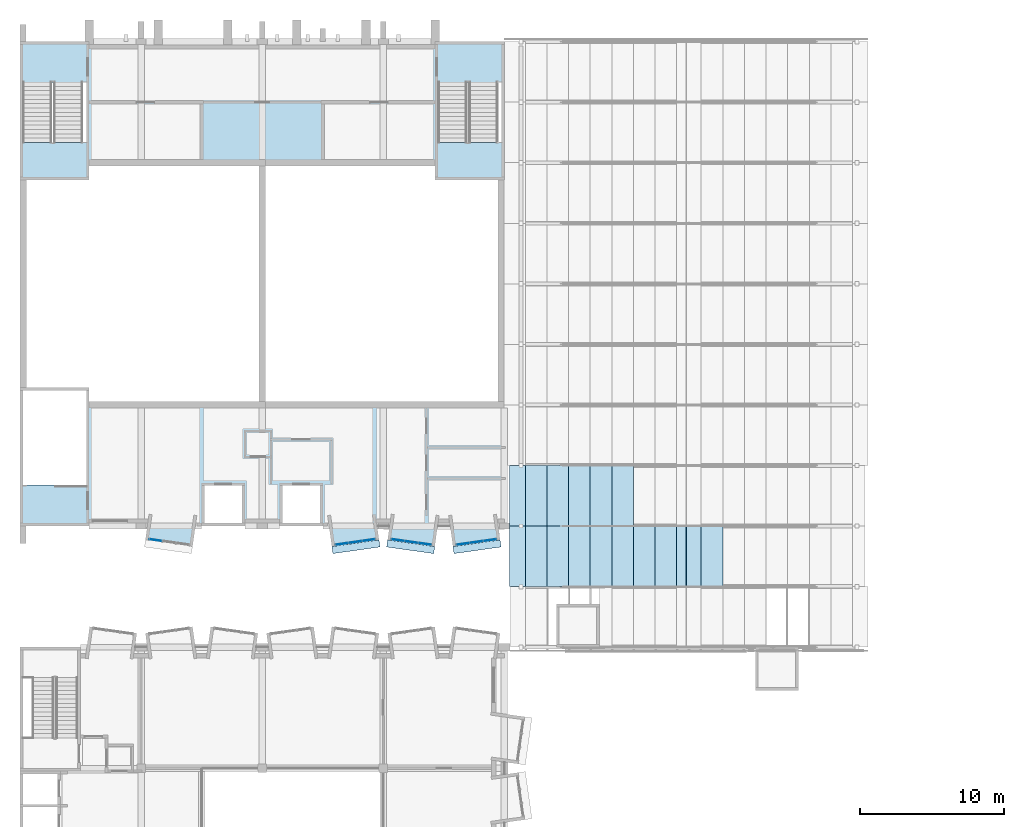
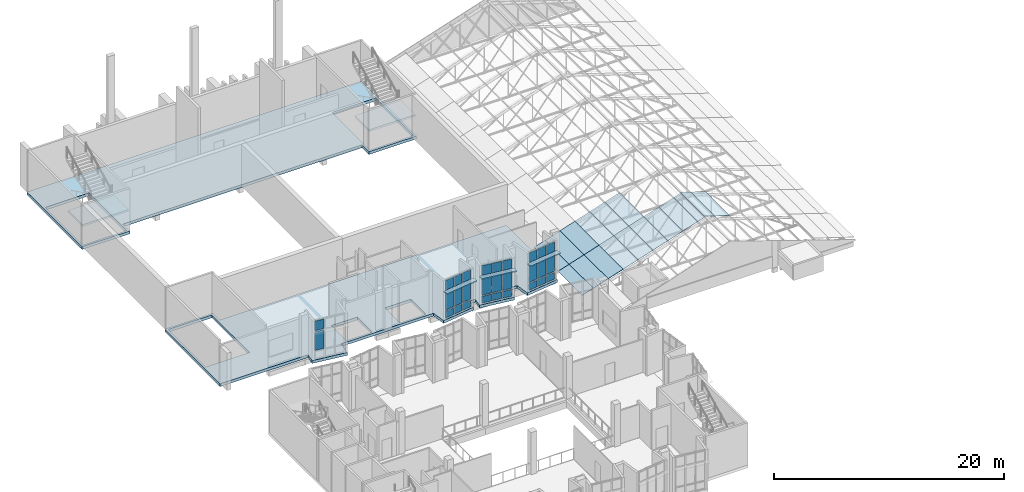
# One storey, part 71 of 95: 49 plates, 4 slabs, 6 elements without a shape of their own.
"""IFC4 building model written with IfcOpenShell, lengths in metres."""

from ifc_helpers import new_model, si_unit, direction, frame, origin, origin_2d, place, context, subcontext, project, spatial, polyline, rectangle, outline, extrude, material, layer, layer_set, type_object, element, aggregate, save


model = new_model("IFC4")

# Units and contexts
model_context = context("Model", 3, precision=1e-05, world=origin(), true_north=direction((0.0, 1.0)))
body_context = subcontext(model_context, "Body", "Model", "MODEL_VIEW")
ifc_project = project(units=[si_unit("LENGTHUNIT", "METRE"), si_unit("AREAUNIT", "SQUARE_METRE"), si_unit("VOLUMEUNIT", "CUBIC_METRE"), si_unit("PLANEANGLEUNIT", "RADIAN"), si_unit("MASSUNIT", "GRAM", prefix="KILO")], contexts=[model_context])

# Site, building, storey
site_placement = place(None, origin())
site = spatial("IfcSite", under=ifc_project, at=site_placement, CompositionType="ELEMENT")
building_placement = place(site_placement, origin())
building = spatial("IfcBuilding", under=site, at=building_placement, Name="Kiln Court Media Centre", CompositionType="ELEMENT")
storey_placement = place(building_placement, frame((0.0, 0.0, 24.60009765625)))
storey = spatial("IfcBuildingStorey", under=building, at=storey_placement, Name="L05", CompositionType="ELEMENT", Elevation=24.60009765625)

# Slabs
ifc_material_1 = material(Name="Concrete C30/37", Category="concrete")
ifc_layer_1 = layer(ifc_material_1, 0.300048828125)
ifc_layer_set_1 = layer_set([ifc_layer_1], Name="Concrete C30/37 floor slab 300")
slab_type_1 = type_object("IfcSlabType", Name="Concrete C30/37 floor slab 300", PredefinedType="FLOOR", material=ifc_layer_set_1)
slab_1_placement = place(storey_placement, frame((0.0, 0.0, -0.300048828125)))
element("IfcSlab", 1, at=slab_1_placement, inside=storey, type_object=slab_type_1, Name="L05-SL-1001", PredefinedType="FLOOR", context=body_context, shape_type="SweptSolid", body=[
    extrude(outline(polyline([(11.966796875, 32.181396484375), (8.698974609375, 32.640869140625), (8.833251953125, 33.599609375), (0.0, 33.60009765625), (0.0, 43.199951171875), (4.800048828125, 43.199951171875), (4.800048828125, 42.0), (33.60009765625, 42.0), (33.6005859375, 33.60009765625), (33.166748046875, 33.599609375), (33.30126953125, 32.64111328125), (30.033203125, 32.181396484375), (29.83349609375, 33.599609375), (28.966552734375, 33.599609375), (28.766845703125, 32.181396484375), (25.498779296875, 32.640869140625), (25.63330078125, 33.599609375), (24.766845703125, 33.599609375), (24.901123046875, 32.640869140625), (21.633056640625, 32.181396484375), (21.433349609375, 33.599609375), (12.16650390625, 33.599609375), (11.966796875, 32.181396484375)]), holes=[polyline([(12.800048828125, 33.800048828125), (15.39990234375, 33.800048828125), (15.39990234375, 36.39990234375), (12.800048828125, 36.39990234375), (12.800048828125, 33.800048828125)]), polyline([(18.199951171875, 33.800048828125), (20.800048828125, 33.800048828125), (20.800048828125, 36.39990234375), (18.199951171875, 36.39990234375), (18.199951171875, 33.800048828125)]), polyline([(0.199951171875, 36.43994140625), (4.60009765625, 36.43994140625), (4.60009765625, 43.0), (0.199951171875, 43.0), (0.199951171875, 36.43994140625)])]), origin(), (0.0, 0.0, 1.0), 0.300048828125),
])
slab_2_placement = place(storey_placement, frame((0.0, 0.0, -0.300048828125)))
element("IfcSlab", 2, at=slab_2_placement, inside=storey, type_object=slab_type_1, Name="L05-SL-1002", PredefinedType="FLOOR", context=body_context, shape_type="SweptSolid", body=[
    extrude(outline(polyline([(0.0, 57.60009765625), (0.0, 67.199951171875), (33.60009765625, 67.199951171875), (33.60009765625, 57.60009765625), (28.800048828125, 57.60009765625), (28.800048828125, 58.800048828125), (4.800048828125, 58.800048828125), (4.800048828125, 57.60009765625), (0.0, 57.60009765625)]), holes=[polyline([(0.199951171875, 57.800048828125), (4.60009765625, 57.800048828125), (4.60009765625, 64.360107421875), (0.199951171875, 64.360107421875), (0.199951171875, 57.800048828125)]), polyline([(29.0, 57.800048828125), (33.39990234375, 57.800048828125), (33.39990234375, 64.360107421875), (29.0, 64.360107421875), (29.0, 57.800048828125)])]), origin(), (0.0, 0.0, 1.0), 0.300048828125),
])

# Plates
ifc_material_2 = material(Name="Concrete C30/37", Category="concrete")
ifc_layer_2 = layer(ifc_material_2, 0.1201171875)
ifc_layer_set_2 = layer_set([ifc_layer_2], Name="Concrete C30/37 sunshade hood 120")
plate_type_1 = type_object("IfcPlateType", Name="Concrete C30/37 sunshade hood 120", PredefinedType="USERDEFINED", material=ifc_layer_set_2)
plate_1_placement = place(storey_placement, frame((0.0, 0.0, 3.0)))
element("IfcPlate", 3, at=plate_1_placement, inside=storey, type_object=plate_type_1, Name="SUNSHADE V4-S-L05-34", ObjectType="SUNSHADE", PredefinedType="USERDEFINED", context=body_context, shape_type="SweptSolid", body=[
    extrude(outline(polyline([(21.633056640625, 32.181884765625), (24.90087890625, 32.641357421875), (24.970458984375, 32.146240234375), (21.70263671875, 31.68701171875), (21.633056640625, 32.181884765625)])), origin(), (0.0, 0.0, 1.0), 0.119873046875),
])
plate_2_placement = place(storey_placement, frame((0.0, 0.0, 3.0)))
element("IfcPlate", 4, at=plate_2_placement, inside=storey, type_object=plate_type_1, Name="SUNSHADE V4-S-L05-35", ObjectType="SUNSHADE", PredefinedType="USERDEFINED", context=body_context, shape_type="SweptSolid", body=[
    extrude(outline(polyline([(25.4990234375, 32.641357421875), (28.766845703125, 32.181884765625), (28.697265625, 31.68701171875), (25.429443359375, 32.146240234375), (25.4990234375, 32.641357421875)])), origin(), (0.0, 0.0, 1.0), 0.119873046875),
])
plate_3_placement = place(storey_placement, frame((0.0, 0.0, 3.0)))
element("IfcPlate", 5, at=plate_3_placement, inside=storey, type_object=plate_type_1, Name="SUNSHADE V4-S-L05-36", ObjectType="SUNSHADE", PredefinedType="USERDEFINED", context=body_context, shape_type="SweptSolid", body=[
    extrude(outline(polyline([(30.033203125, 32.181884765625), (33.301025390625, 32.641357421875), (33.37060546875, 32.146240234375), (30.102783203125, 31.68701171875), (30.033203125, 32.181884765625)])), origin(), (0.0, 0.0, 1.0), 0.119873046875),
])

# Stair, slab
ifc_material_3 = material(Name="Concrete C40/50", Category="concrete")
stair_type = type_object("IfcStairType", Name="Concrete C40/50 dog-leg stair 2000 wide, 150 riser", PredefinedType="HALF_TURN_STAIR", material=ifc_material_3)
stair_1_placement = place(storey_placement, origin())
stair_1 = element("IfcStair", 6, at=stair_1_placement, inside=storey, type_object=stair_type, Name="ST-07 L05", PredefinedType="HALF_TURN_STAIR")
ifc_material_4 = material(Name="Concrete C40/50", Category="concrete")
ifc_layer_3 = layer(ifc_material_4, 0.199951171875)
ifc_layer_set_3 = layer_set([ifc_layer_3], Name="Concrete C40/50 stair landing 200")
slab_type_2 = type_object("IfcSlabType", Name="Concrete C40/50 stair landing 200", PredefinedType="LANDING", material=ifc_layer_set_3)
slab_3_placement = place(storey_placement, frame((0.0, 0.0, 2.0498046875)))
slab_3 = element("IfcSlab", 7, at=slab_3_placement, type_object=slab_type_2, Name="L05-ST-5003 landing 5003", PredefinedType="LANDING", context=body_context, shape_type="SweptSolid", body=[
    extrude(outline(polyline([(0.080078125, 60.199951171875), (0.080078125, 57.679931640625), (4.719970703125, 57.679931640625), (4.719970703125, 60.199951171875), (0.080078125, 60.199951171875)])), origin(), (0.0, 0.0, 1.0), 0.2001953125),
])
aggregate(stair_1, [slab_3])

stair_2_placement = place(storey_placement, origin())
stair_2 = element("IfcStair", 8, at=stair_2_placement, inside=storey, type_object=stair_type, Name="ST-08 L05", PredefinedType="HALF_TURN_STAIR")
slab_4_placement = place(storey_placement, frame((0.0, 0.0, 2.0498046875)))
slab_4 = element("IfcSlab", 9, at=slab_4_placement, type_object=slab_type_2, Name="L05-ST-5004 landing 5004", PredefinedType="LANDING", context=body_context, shape_type="SweptSolid", body=[
    extrude(outline(polyline([(28.8798828125, 60.199951171875), (28.8798828125, 57.679931640625), (33.52001953125, 57.679931640625), (33.52001953125, 60.199951171875), (28.8798828125, 60.199951171875)])), origin(), (0.0, 0.0, 1.0), 0.2001953125),
])
aggregate(stair_2, [slab_4])

# Curtain wall, plates
ifc_material_5 = material(Name="Aluminium 6063-T6", Category="aluminium")
ifc_layer_4 = layer(ifc_material_5, 0.1201171875)
ifc_layer_set_4 = layer_set([ifc_layer_4], Name="Aluminium unitised bay curtain wall")
curtain_wall_type = type_object("IfcCurtainWallType", Name="Aluminium unitised bay curtain wall", PredefinedType="USERDEFINED", material=ifc_layer_set_4)
curtain_wall_1_placement = place(storey_placement, origin())
curtain_wall_1 = element("IfcCurtainWall", 10, at=curtain_wall_1_placement, inside=storey, type_object=curtain_wall_type, Name="BAY V4-S-L05-34 front", ObjectType="UNITISED CURTAIN WALL", PredefinedType="USERDEFINED")
ifc_material_6 = material(Name="Aluminium insulated spandrel", Category="aluminium")
ifc_layer_5 = layer(ifc_material_6, 0.028076171875)
ifc_layer_set_5 = layer_set([ifc_layer_5], Name="Insulated spandrel panel 28")
plate_type_2 = type_object("IfcPlateType", Name="Insulated spandrel panel 28", PredefinedType="CURTAIN_PANEL", material=ifc_layer_set_5)
plate_4_placement = place(storey_placement, frame((22.3232421875, 32.35986328125, 0.1201171875), z_axis=(0.0, 0.0, 1.0), x_axis=(0.990269562409, 0.139162472554, 0.0)))
plate_4 = element("IfcPlate", 11, at=plate_4_placement, type_object=plate_type_2, Name="CW5-02 panel 1.1", PredefinedType="CURTAIN_PANEL", context=body_context, shape_type="SweptSolid", body=[
    extrude(rectangle(XDim=0.86669921875, YDim=0.028076171875, at=origin_2d()), origin(), (0.0, 0.0, 1.0), 0.719970703125),
])
plate_5_placement = place(storey_placement, frame((23.255859375, 32.490966796875, 0.1201171875), z_axis=(0.0, 0.0, 1.0), x_axis=(0.990269562409, 0.139162472554, 0.0)))
plate_5 = element("IfcPlate", 12, at=plate_5_placement, type_object=plate_type_2, Name="CW5-02 panel 2.1", PredefinedType="CURTAIN_PANEL", context=body_context, shape_type="SweptSolid", body=[
    extrude(rectangle(XDim=0.896728515625, YDim=0.028076171875, at=origin_2d()), origin(), (0.0, 0.0, 1.0), 0.719970703125),
])
plate_6_placement = place(storey_placement, frame((24.1884765625, 32.621826171875, 0.1201171875), z_axis=(0.0, 0.0, 1.0), x_axis=(0.990269562409, 0.139162472554, 0.0)))
plate_6 = element("IfcPlate", 13, at=plate_6_placement, type_object=plate_type_2, Name="CW5-02 panel 3.1", PredefinedType="CURTAIN_PANEL", context=body_context, shape_type="SweptSolid", body=[
    extrude(rectangle(XDim=0.86669921875, YDim=0.028076171875, at=origin_2d()), origin(), (0.0, 0.0, 1.0), 0.719970703125),
])

curtain_wall_2_placement = place(storey_placement, origin())
curtain_wall_2 = element("IfcCurtainWall", 14, at=curtain_wall_2_placement, inside=storey, type_object=curtain_wall_type, Name="BAY V4-S-L05-35 front", ObjectType="UNITISED CURTAIN WALL", PredefinedType="USERDEFINED")
plate_7_placement = place(storey_placement, frame((26.211669921875, 32.621826171875, 0.1201171875), z_axis=(0.0, 0.0, 1.0), x_axis=(0.990269562409, -0.139162472554, 0.0)))
plate_7 = element("IfcPlate", 15, at=plate_7_placement, type_object=plate_type_2, Name="CW5-03 panel 1.1", PredefinedType="CURTAIN_PANEL", context=body_context, shape_type="SweptSolid", body=[
    extrude(rectangle(XDim=0.86669921875, YDim=0.028076171875, at=origin_2d()), origin(), (0.0, 0.0, 1.0), 0.719970703125),
])
plate_8_placement = place(storey_placement, frame((27.14404296875, 32.490966796875, 0.1201171875), z_axis=(0.0, 0.0, 1.0), x_axis=(0.990269562409, -0.139162472554, 0.0)))
plate_8 = element("IfcPlate", 16, at=plate_8_placement, type_object=plate_type_2, Name="CW5-03 panel 2.1", PredefinedType="CURTAIN_PANEL", context=body_context, shape_type="SweptSolid", body=[
    extrude(rectangle(XDim=0.896728515625, YDim=0.028076171875, at=origin_2d()), origin(), (0.0, 0.0, 1.0), 0.719970703125),
])
plate_9_placement = place(storey_placement, frame((28.07666015625, 32.35986328125, 0.1201171875), z_axis=(0.0, 0.0, 1.0), x_axis=(0.990269562409, -0.139162472554, 0.0)))
plate_9 = element("IfcPlate", 17, at=plate_9_placement, type_object=plate_type_2, Name="CW5-03 panel 3.1", PredefinedType="CURTAIN_PANEL", context=body_context, shape_type="SweptSolid", body=[
    extrude(rectangle(XDim=0.86669921875, YDim=0.028076171875, at=origin_2d()), origin(), (0.0, 0.0, 1.0), 0.719970703125),
])

curtain_wall_3_placement = place(storey_placement, origin())
curtain_wall_3 = element("IfcCurtainWall", 18, at=curtain_wall_3_placement, inside=storey, type_object=curtain_wall_type, Name="BAY V4-S-L05-36 front", ObjectType="UNITISED CURTAIN WALL", PredefinedType="USERDEFINED")
plate_10_placement = place(storey_placement, frame((30.723388671875, 32.35986328125, 0.1201171875), z_axis=(0.0, 0.0, 1.0), x_axis=(0.990269562409, 0.139162472554, 0.0)))
plate_10 = element("IfcPlate", 19, at=plate_10_placement, type_object=plate_type_2, Name="CW5-04 panel 1.1", PredefinedType="CURTAIN_PANEL", context=body_context, shape_type="SweptSolid", body=[
    extrude(rectangle(XDim=0.86669921875, YDim=0.028076171875, at=origin_2d()), origin(), (0.0, 0.0, 1.0), 0.719970703125),
])
plate_11_placement = place(storey_placement, frame((31.65576171875, 32.490966796875, 0.1201171875), z_axis=(0.0, 0.0, 1.0), x_axis=(0.990269562409, 0.139162472554, 0.0)))
plate_11 = element("IfcPlate", 20, at=plate_11_placement, type_object=plate_type_2, Name="CW5-04 panel 2.1", PredefinedType="CURTAIN_PANEL", context=body_context, shape_type="SweptSolid", body=[
    extrude(rectangle(XDim=0.896728515625, YDim=0.028076171875, at=origin_2d()), origin(), (0.0, 0.0, 1.0), 0.719970703125),
])
plate_12_placement = place(storey_placement, frame((32.58837890625, 32.621826171875, 0.1201171875), z_axis=(0.0, 0.0, 1.0), x_axis=(0.990269562409, 0.139162472554, 0.0)))
plate_12 = element("IfcPlate", 21, at=plate_12_placement, type_object=plate_type_2, Name="CW5-04 panel 3.1", PredefinedType="CURTAIN_PANEL", context=body_context, shape_type="SweptSolid", body=[
    extrude(rectangle(XDim=0.86669921875, YDim=0.028076171875, at=origin_2d()), origin(), (0.0, 0.0, 1.0), 0.719970703125),
])

# Plates
ifc_material_7 = material(Name="Laminated low-E glazing", Category="glass")
ifc_layer_6 = layer(ifc_material_7, 0.0439453125)
ifc_layer_set_6 = layer_set([ifc_layer_6], Name="Laminated low-E skylight glazing 44")
plate_type_3 = type_object("IfcPlateType", Name="Laminated low-E skylight glazing 44", PredefinedType="USERDEFINED", material=ifc_layer_set_6)
plate_13_placement = place(storey_placement, frame((48.75146484375, 33.60009765625, 3.352783203125), z_axis=(0.308974063591, 0.0, 0.951070464281), x_axis=(-0.951070464281, 0.0, 0.308974063591)))
element("IfcPlate", 22, at=plate_13_placement, inside=storey, type_object=plate_type_3, Name="Foyer roof glazing east 8.2", ObjectType="SKYLIGHT GLAZING", PredefinedType="USERDEFINED", context=body_context, shape_type="SweptSolid", body=[
    extrude(outline(polyline([(0.0, 0.0), (1.5771702059256234, 0.0), (1.5771702059256234, 4.2001953125), (0.0, 4.2001953125), (0.0, 0.0)])), origin(), (0.0, 0.0, -1.0), 0.0439453125),
])
plate_14_placement = place(storey_placement, frame((47.25146484375, 33.60009765625, 3.840087890625), z_axis=(0.309009902499, 0.0, 0.951058820556), x_axis=(-0.951058820556, 0.0, 0.309009902499)))
element("IfcPlate", 23, at=plate_14_placement, inside=storey, type_object=plate_type_3, Name="Foyer roof glazing east 9.2", ObjectType="SKYLIGHT GLAZING", PredefinedType="USERDEFINED", context=body_context, shape_type="SweptSolid", body=[
    extrude(outline(polyline([(0.0, 0.0), (1.0871415358627208, 0.0), (1.0871415358627208, 4.200195312499999), (0.0, 4.200195312499999), (0.0, 0.0)])), origin(), (0.0, 0.0, -1.0), 0.0439453125),
])
plate_15_placement = place(storey_placement, frame((33.936279296875, 29.39990234375, 0.067138671875), z_axis=(-0.308953902618, 0.0, 0.951077013736), x_axis=(0.951077013736, 0.0, 0.308953902618)))
element("IfcPlate", 24, at=plate_15_placement, inside=storey, type_object=plate_type_3, Name="Foyer roof glazing west 1.2", ObjectType="SKYLIGHT GLAZING", PredefinedType="USERDEFINED", context=body_context, shape_type="SweptSolid", body=[
    extrude(outline(polyline([(0.0, 0.0), (1.1695211548965194, 0.0), (1.1695211548965194, 4.2001953125), (0.0, 4.2001953125), (0.0, 0.0)])), origin(), (0.0, 0.0, -1.0), 0.0439453125),
])
plate_16_placement = place(storey_placement, frame((33.936279296875, 33.60009765625, 0.067138671875), z_axis=(-0.308953902618, 0.0, 0.951077013736), x_axis=(0.951077013736, 0.0, 0.308953902618)))
element("IfcPlate", 25, at=plate_16_placement, inside=storey, type_object=plate_type_3, Name="Foyer roof glazing west 1.3", ObjectType="SKYLIGHT GLAZING", PredefinedType="USERDEFINED", context=body_context, shape_type="SweptSolid", body=[
    extrude(outline(polyline([(0.0, 0.0), (1.1695211548965192, 0.0), (1.1695211548965192, 4.199951171875001), (0.0, 4.199951171875001), (0.0, 0.0)])), origin(), (0.0, 0.0, -1.0), 0.0439453125),
])
plate_17_placement = place(storey_placement, frame((35.048583984375, 29.39990234375, 0.428466796875), z_axis=(-0.309114072515, 0.0, 0.951024968218), x_axis=(0.951024968218, 0.0, 0.309114072515)))
element("IfcPlate", 26, at=plate_17_placement, inside=storey, type_object=plate_type_3, Name="Foyer roof glazing west 2.2", ObjectType="SKYLIGHT GLAZING", PredefinedType="USERDEFINED", context=body_context, shape_type="SweptSolid", body=[
    extrude(outline(polyline([(0.0, 0.0), (1.577245656137959, 0.0), (1.577245656137959, 4.200195312500001), (0.0, 4.200195312500001), (0.0, 0.0)])), origin(), (0.0, 0.0, -1.0), 0.0439453125),
])
plate_18_placement = place(storey_placement, frame((35.048583984375, 33.60009765625, 0.428466796875), z_axis=(-0.309114072515, 0.0, 0.951024968218), x_axis=(0.951024968218, 0.0, 0.309114072515)))
element("IfcPlate", 27, at=plate_18_placement, inside=storey, type_object=plate_type_3, Name="Foyer roof glazing west 2.3", ObjectType="SKYLIGHT GLAZING", PredefinedType="USERDEFINED", context=body_context, shape_type="SweptSolid", body=[
    extrude(outline(polyline([(0.0, 0.0), (1.577245656137959, 0.0), (1.577245656137959, 4.199951171875001), (0.0, 4.199951171875001), (0.0, 0.0)])), origin(), (0.0, 0.0, -1.0), 0.0439453125),
])
plate_19_placement = place(storey_placement, frame((36.548583984375, 29.39990234375, 0.916015625), z_axis=(-0.308974063591, 0.0, 0.951070464281), x_axis=(0.951070464281, 0.0, 0.308974063591)))
element("IfcPlate", 28, at=plate_19_placement, inside=storey, type_object=plate_type_3, Name="Foyer roof glazing west 3.2", ObjectType="SKYLIGHT GLAZING", PredefinedType="USERDEFINED", context=body_context, shape_type="SweptSolid", body=[
    extrude(outline(polyline([(0.0, 0.0), (1.5771702059256234, 0.0), (1.5771702059256234, 4.2001953125), (0.0, 4.2001953125), (0.0, 0.0)])), origin(), (0.0, 0.0, -1.0), 0.0439453125),
])
plate_20_placement = place(storey_placement, frame((36.548583984375, 33.60009765625, 0.916015625), z_axis=(-0.308974063591, 0.0, 0.951070464281), x_axis=(0.951070464281, 0.0, 0.308974063591)))
element("IfcPlate", 29, at=plate_20_placement, inside=storey, type_object=plate_type_3, Name="Foyer roof glazing west 3.3", ObjectType="SKYLIGHT GLAZING", PredefinedType="USERDEFINED", context=body_context, shape_type="SweptSolid", body=[
    extrude(outline(polyline([(0.0, 0.0), (1.5771702059256232, 0.0), (1.5771702059256232, 4.199951171875), (0.0, 4.199951171875), (0.0, 0.0)])), origin(), (0.0, 0.0, -1.0), 0.0439453125),
])
plate_21_placement = place(storey_placement, frame((38.048583984375, 29.39990234375, 1.4033203125), z_axis=(-0.308974063591, 0.0, 0.951070464281), x_axis=(0.951070464281, 0.0, 0.308974063591)))
element("IfcPlate", 30, at=plate_21_placement, inside=storey, type_object=plate_type_3, Name="Foyer roof glazing west 4.2", ObjectType="SKYLIGHT GLAZING", PredefinedType="USERDEFINED", context=body_context, shape_type="SweptSolid", body=[
    extrude(outline(polyline([(0.0, 0.0), (1.5771702059256234, 0.0), (1.5771702059256234, 4.2001953125), (0.0, 4.2001953125), (0.0, 0.0)])), origin(), (0.0, 0.0, -1.0), 0.0439453125),
])
plate_22_placement = place(storey_placement, frame((38.048583984375, 33.60009765625, 1.4033203125), z_axis=(-0.308974063591, 0.0, 0.951070464281), x_axis=(0.951070464281, 0.0, 0.308974063591)))
element("IfcPlate", 31, at=plate_22_placement, inside=storey, type_object=plate_type_3, Name="Foyer roof glazing west 4.3", ObjectType="SKYLIGHT GLAZING", PredefinedType="USERDEFINED", context=body_context, shape_type="SweptSolid", body=[
    extrude(outline(polyline([(0.0, 0.0), (1.5771702059256232, 0.0), (1.5771702059256232, 4.199951171875), (0.0, 4.199951171875), (0.0, 0.0)])), origin(), (0.0, 0.0, -1.0), 0.0439453125),
])
plate_23_placement = place(storey_placement, frame((39.548583984375, 29.39990234375, 1.890625), z_axis=(-0.309114072515, 0.0, 0.951024968218), x_axis=(0.951024968218, 0.0, 0.309114072515)))
element("IfcPlate", 32, at=plate_23_placement, inside=storey, type_object=plate_type_3, Name="Foyer roof glazing west 5.2", ObjectType="SKYLIGHT GLAZING", PredefinedType="USERDEFINED", context=body_context, shape_type="SweptSolid", body=[
    extrude(outline(polyline([(0.0, 0.0), (1.577245656137959, 0.0), (1.577245656137959, 4.200195312500001), (0.0, 4.200195312500001), (0.0, 0.0)])), origin(), (0.0, 0.0, -1.0), 0.0439453125),
])
plate_24_placement = place(storey_placement, frame((39.548583984375, 33.60009765625, 1.890625), z_axis=(-0.309114072515, 0.0, 0.951024968218), x_axis=(0.951024968218, 0.0, 0.309114072515)))
element("IfcPlate", 33, at=plate_24_placement, inside=storey, type_object=plate_type_3, Name="Foyer roof glazing west 5.3", ObjectType="SKYLIGHT GLAZING", PredefinedType="USERDEFINED", context=body_context, shape_type="SweptSolid", body=[
    extrude(outline(polyline([(0.0, 0.0), (1.577245656137959, 0.0), (1.577245656137959, 4.199951171875001), (0.0, 4.199951171875001), (0.0, 0.0)])), origin(), (0.0, 0.0, -1.0), 0.0439453125),
])
plate_25_placement = place(storey_placement, frame((41.048583984375, 29.39990234375, 2.378173828125), z_axis=(-0.308974063591, 0.0, 0.951070464281), x_axis=(0.951070464281, 0.0, 0.308974063591)))
element("IfcPlate", 34, at=plate_25_placement, inside=storey, type_object=plate_type_3, Name="Foyer roof glazing west 6.2", ObjectType="SKYLIGHT GLAZING", PredefinedType="USERDEFINED", context=body_context, shape_type="SweptSolid", body=[
    extrude(outline(polyline([(0.0, 0.0), (1.5771702059256234, 0.0), (1.5771702059256234, 4.2001953125), (0.0, 4.2001953125), (0.0, 0.0)])), origin(), (0.0, 0.0, -1.0), 0.0439453125),
])
plate_26_placement = place(storey_placement, frame((41.048583984375, 33.60009765625, 2.378173828125), z_axis=(-0.308974063591, 0.0, 0.951070464281), x_axis=(0.951070464281, 0.0, 0.308974063591)))
element("IfcPlate", 35, at=plate_26_placement, inside=storey, type_object=plate_type_3, Name="Foyer roof glazing west 6.3", ObjectType="SKYLIGHT GLAZING", PredefinedType="USERDEFINED", context=body_context, shape_type="SweptSolid", body=[
    extrude(outline(polyline([(0.0, 0.0), (1.5771702059256232, 0.0), (1.5771702059256232, 4.199951171875), (0.0, 4.199951171875), (0.0, 0.0)])), origin(), (0.0, 0.0, -1.0), 0.0439453125),
])
for number, where, z_axis, x_axis, name in (
    (36, (42.548583984375, 29.39990234375, 2.865478515625), (-0.308974063591, 0.0, 0.951070464281), (0.951070464281, 0.0, 0.308974063591), "Foyer roof glazing west 7.2"),
    (37, (44.048583984375, 29.39990234375, 3.352783203125), (-0.308974063591, 0.0, 0.951070464281), (0.951070464281, 0.0, 0.308974063591), "Foyer roof glazing west 8.2"),
):
    element("IfcPlate", number, at=place(storey_placement, frame(where, z_axis=z_axis, x_axis=x_axis)), inside=storey, type_object=plate_type_3, Name=name, ObjectType="SKYLIGHT GLAZING", PredefinedType="USERDEFINED", context=body_context, shape_type="SweptSolid", body=[
        extrude(outline(polyline([(0.0, 0.0), (1.5771702059256234, 0.0), (1.5771702059256234, 4.2001953125), (0.0, 4.2001953125), (0.0, 0.0)])), origin(), (0.0, 0.0, -1.0), 0.0439453125),
    ])
plate_27_placement = place(storey_placement, frame((45.548583984375, 29.39990234375, 3.840087890625), z_axis=(-0.309185471485, 0.0, 0.951001758265), x_axis=(0.951001758265, 0.0, 0.309185471485)))
element("IfcPlate", 38, at=plate_27_placement, inside=storey, type_object=plate_type_3, Name="Foyer roof glazing west 9.2", ObjectType="SKYLIGHT GLAZING", PredefinedType="USERDEFINED", context=body_context, shape_type="SweptSolid", body=[
    extrude(outline(polyline([(0.0, 0.0), (0.6664436285128335, 0.0), (0.6664436285128335, 4.200195312499999), (0.0, 4.200195312499999), (0.0, 0.0)])), origin(), (0.0, 0.0, -1.0), 0.0439453125),
])

# Curtain wall, plates
curtain_wall_4_placement = place(storey_placement, origin())
curtain_wall_4 = element("IfcCurtainWall", 39, at=curtain_wall_4_placement, inside=storey, type_object=curtain_wall_type, Name="BAY V4-S-L05-31 front", ObjectType="UNITISED CURTAIN WALL", PredefinedType="USERDEFINED")
ifc_material_8 = material(Name="Low-E double glazing", Category="glass")
ifc_layer_7 = layer(ifc_material_8, 0.028076171875)
ifc_layer_set_7 = layer_set([ifc_layer_7], Name="Low-E double glazed panel 28")
plate_type_4 = type_object("IfcPlateType", Name="Low-E double glazed panel 28", PredefinedType="CURTAIN_PANEL", material=ifc_layer_set_7)
plate_28_placement = place(storey_placement, frame((9.41162109375, 32.621826171875, 0.9599609375), z_axis=(0.0, 0.0, 1.0), x_axis=(0.990269562409, -0.139162472554, 0.0)))
plate_28 = element("IfcPlate", 40, at=plate_28_placement, type_object=plate_type_4, Name="CW5-01 panel 1.2", PredefinedType="CURTAIN_PANEL", context=body_context, shape_type="SweptSolid", body=[
    extrude(rectangle(XDim=0.86669921875, YDim=0.028076171875, at=origin_2d()), origin(), (0.0, 0.0, 1.0), 1.97998046875),
])
plate_29_placement = place(storey_placement, frame((9.41162109375, 32.621826171875, 3.059814453125), z_axis=(0.0, 0.0, 1.0), x_axis=(0.990269562409, -0.139162472554, 0.0)))
plate_29 = element("IfcPlate", 41, at=plate_29_placement, type_object=plate_type_4, Name="CW5-01 panel 1.3", PredefinedType="CURTAIN_PANEL", context=body_context, shape_type="SweptSolid", body=[
    extrude(rectangle(XDim=0.86669921875, YDim=0.028076171875, at=origin_2d()), origin(), (0.0, 0.0, 1.0), 1.02001953125),
])
aggregate(curtain_wall_4, [plate_28, plate_29])

# Plate
plate_30_placement = place(storey_placement, frame((22.3232421875, 32.35986328125, 0.9599609375), z_axis=(0.0, 0.0, 1.0), x_axis=(0.990269562409, 0.139162472554, 0.0)))
plate_30 = element("IfcPlate", 42, at=plate_30_placement, type_object=plate_type_4, Name="CW5-02 panel 1.2", PredefinedType="CURTAIN_PANEL", context=body_context, shape_type="SweptSolid", body=[
    extrude(rectangle(XDim=0.86669921875, YDim=0.028076171875, at=origin_2d()), origin(), (0.0, 0.0, 1.0), 1.97998046875),
])

plate_31_placement = place(storey_placement, frame((22.3232421875, 32.35986328125, 3.059814453125), z_axis=(0.0, 0.0, 1.0), x_axis=(0.990269562409, 0.139162472554, 0.0)))
plate_31 = element("IfcPlate", 43, at=plate_31_placement, type_object=plate_type_4, Name="CW5-02 panel 1.3", PredefinedType="CURTAIN_PANEL", context=body_context, shape_type="SweptSolid", body=[
    extrude(rectangle(XDim=0.86669921875, YDim=0.028076171875, at=origin_2d()), origin(), (0.0, 0.0, 1.0), 1.02001953125),
])

plate_32_placement = place(storey_placement, frame((23.255859375, 32.490966796875, 0.9599609375), z_axis=(0.0, 0.0, 1.0), x_axis=(0.990269562409, 0.139162472554, 0.0)))
plate_32 = element("IfcPlate", 44, at=plate_32_placement, type_object=plate_type_4, Name="CW5-02 panel 2.2", PredefinedType="CURTAIN_PANEL", context=body_context, shape_type="SweptSolid", body=[
    extrude(rectangle(XDim=0.896728515625, YDim=0.028076171875, at=origin_2d()), origin(), (0.0, 0.0, 1.0), 1.97998046875),
])

plate_33_placement = place(storey_placement, frame((23.255859375, 32.490966796875, 3.059814453125), z_axis=(0.0, 0.0, 1.0), x_axis=(0.990269562409, 0.139162472554, 0.0)))
plate_33 = element("IfcPlate", 45, at=plate_33_placement, type_object=plate_type_4, Name="CW5-02 panel 2.3", PredefinedType="CURTAIN_PANEL", context=body_context, shape_type="SweptSolid", body=[
    extrude(rectangle(XDim=0.896728515625, YDim=0.028076171875, at=origin_2d()), origin(), (0.0, 0.0, 1.0), 1.02001953125),
])

plate_34_placement = place(storey_placement, frame((24.1884765625, 32.621826171875, 0.9599609375), z_axis=(0.0, 0.0, 1.0), x_axis=(0.990269562409, 0.139162472554, 0.0)))
plate_34 = element("IfcPlate", 46, at=plate_34_placement, type_object=plate_type_4, Name="CW5-02 panel 3.2", PredefinedType="CURTAIN_PANEL", context=body_context, shape_type="SweptSolid", body=[
    extrude(rectangle(XDim=0.86669921875, YDim=0.028076171875, at=origin_2d()), origin(), (0.0, 0.0, 1.0), 1.97998046875),
])

plate_35_placement = place(storey_placement, frame((24.1884765625, 32.621826171875, 3.059814453125), z_axis=(0.0, 0.0, 1.0), x_axis=(0.990269562409, 0.139162472554, 0.0)))
plate_35 = element("IfcPlate", 47, at=plate_35_placement, type_object=plate_type_4, Name="CW5-02 panel 3.3", PredefinedType="CURTAIN_PANEL", context=body_context, shape_type="SweptSolid", body=[
    extrude(rectangle(XDim=0.86669921875, YDim=0.028076171875, at=origin_2d()), origin(), (0.0, 0.0, 1.0), 1.02001953125),
])

aggregate(curtain_wall_1, [plate_4, plate_30, plate_31, plate_5, plate_32, plate_33, plate_6, plate_34, plate_35])

plate_36_placement = place(storey_placement, frame((26.211669921875, 32.621826171875, 0.9599609375), z_axis=(0.0, 0.0, 1.0), x_axis=(0.990269562409, -0.139162472554, 0.0)))
plate_36 = element("IfcPlate", 48, at=plate_36_placement, type_object=plate_type_4, Name="CW5-03 panel 1.2", PredefinedType="CURTAIN_PANEL", context=body_context, shape_type="SweptSolid", body=[
    extrude(rectangle(XDim=0.86669921875, YDim=0.028076171875, at=origin_2d()), origin(), (0.0, 0.0, 1.0), 1.97998046875),
])

plate_37_placement = place(storey_placement, frame((26.211669921875, 32.621826171875, 3.059814453125), z_axis=(0.0, 0.0, 1.0), x_axis=(0.990269562409, -0.139162472554, 0.0)))
plate_37 = element("IfcPlate", 49, at=plate_37_placement, type_object=plate_type_4, Name="CW5-03 panel 1.3", PredefinedType="CURTAIN_PANEL", context=body_context, shape_type="SweptSolid", body=[
    extrude(rectangle(XDim=0.86669921875, YDim=0.028076171875, at=origin_2d()), origin(), (0.0, 0.0, 1.0), 1.02001953125),
])

plate_38_placement = place(storey_placement, frame((27.14404296875, 32.490966796875, 0.9599609375), z_axis=(0.0, 0.0, 1.0), x_axis=(0.990269562409, -0.139162472554, 0.0)))
plate_38 = element("IfcPlate", 50, at=plate_38_placement, type_object=plate_type_4, Name="CW5-03 panel 2.2", PredefinedType="CURTAIN_PANEL", context=body_context, shape_type="SweptSolid", body=[
    extrude(rectangle(XDim=0.896728515625, YDim=0.028076171875, at=origin_2d()), origin(), (0.0, 0.0, 1.0), 1.97998046875),
])

plate_39_placement = place(storey_placement, frame((27.14404296875, 32.490966796875, 3.059814453125), z_axis=(0.0, 0.0, 1.0), x_axis=(0.990269562409, -0.139162472554, 0.0)))
plate_39 = element("IfcPlate", 51, at=plate_39_placement, type_object=plate_type_4, Name="CW5-03 panel 2.3", PredefinedType="CURTAIN_PANEL", context=body_context, shape_type="SweptSolid", body=[
    extrude(rectangle(XDim=0.896728515625, YDim=0.028076171875, at=origin_2d()), origin(), (0.0, 0.0, 1.0), 1.02001953125),
])

plate_40_placement = place(storey_placement, frame((28.07666015625, 32.35986328125, 0.9599609375), z_axis=(0.0, 0.0, 1.0), x_axis=(0.990269562409, -0.139162472554, 0.0)))
plate_40 = element("IfcPlate", 52, at=plate_40_placement, type_object=plate_type_4, Name="CW5-03 panel 3.2", PredefinedType="CURTAIN_PANEL", context=body_context, shape_type="SweptSolid", body=[
    extrude(rectangle(XDim=0.86669921875, YDim=0.028076171875, at=origin_2d()), origin(), (0.0, 0.0, 1.0), 1.97998046875),
])

plate_41_placement = place(storey_placement, frame((28.07666015625, 32.35986328125, 3.059814453125), z_axis=(0.0, 0.0, 1.0), x_axis=(0.990269562409, -0.139162472554, 0.0)))
plate_41 = element("IfcPlate", 53, at=plate_41_placement, type_object=plate_type_4, Name="CW5-03 panel 3.3", PredefinedType="CURTAIN_PANEL", context=body_context, shape_type="SweptSolid", body=[
    extrude(rectangle(XDim=0.86669921875, YDim=0.028076171875, at=origin_2d()), origin(), (0.0, 0.0, 1.0), 1.02001953125),
])

aggregate(curtain_wall_2, [plate_7, plate_36, plate_37, plate_8, plate_38, plate_39, plate_9, plate_40, plate_41])

plate_42_placement = place(storey_placement, frame((30.723388671875, 32.35986328125, 0.9599609375), z_axis=(0.0, 0.0, 1.0), x_axis=(0.990269562409, 0.139162472554, 0.0)))
plate_42 = element("IfcPlate", 54, at=plate_42_placement, type_object=plate_type_4, Name="CW5-04 panel 1.2", PredefinedType="CURTAIN_PANEL", context=body_context, shape_type="SweptSolid", body=[
    extrude(rectangle(XDim=0.86669921875, YDim=0.028076171875, at=origin_2d()), origin(), (0.0, 0.0, 1.0), 1.97998046875),
])

plate_43_placement = place(storey_placement, frame((30.723388671875, 32.35986328125, 3.059814453125), z_axis=(0.0, 0.0, 1.0), x_axis=(0.990269562409, 0.139162472554, 0.0)))
plate_43 = element("IfcPlate", 55, at=plate_43_placement, type_object=plate_type_4, Name="CW5-04 panel 1.3", PredefinedType="CURTAIN_PANEL", context=body_context, shape_type="SweptSolid", body=[
    extrude(rectangle(XDim=0.86669921875, YDim=0.028076171875, at=origin_2d()), origin(), (0.0, 0.0, 1.0), 1.02001953125),
])

plate_44_placement = place(storey_placement, frame((31.65576171875, 32.490966796875, 0.9599609375), z_axis=(0.0, 0.0, 1.0), x_axis=(0.990269562409, 0.139162472554, 0.0)))
plate_44 = element("IfcPlate", 56, at=plate_44_placement, type_object=plate_type_4, Name="CW5-04 panel 2.2", PredefinedType="CURTAIN_PANEL", context=body_context, shape_type="SweptSolid", body=[
    extrude(rectangle(XDim=0.896728515625, YDim=0.028076171875, at=origin_2d()), origin(), (0.0, 0.0, 1.0), 1.97998046875),
])

plate_45_placement = place(storey_placement, frame((31.65576171875, 32.490966796875, 3.059814453125), z_axis=(0.0, 0.0, 1.0), x_axis=(0.990269562409, 0.139162472554, 0.0)))
plate_45 = element("IfcPlate", 57, at=plate_45_placement, type_object=plate_type_4, Name="CW5-04 panel 2.3", PredefinedType="CURTAIN_PANEL", context=body_context, shape_type="SweptSolid", body=[
    extrude(rectangle(XDim=0.896728515625, YDim=0.028076171875, at=origin_2d()), origin(), (0.0, 0.0, 1.0), 1.02001953125),
])

plate_46_placement = place(storey_placement, frame((32.58837890625, 32.621826171875, 0.9599609375), z_axis=(0.0, 0.0, 1.0), x_axis=(0.990269562409, 0.139162472554, 0.0)))
plate_46 = element("IfcPlate", 58, at=plate_46_placement, type_object=plate_type_4, Name="CW5-04 panel 3.2", PredefinedType="CURTAIN_PANEL", context=body_context, shape_type="SweptSolid", body=[
    extrude(rectangle(XDim=0.86669921875, YDim=0.028076171875, at=origin_2d()), origin(), (0.0, 0.0, 1.0), 1.97998046875),
])

plate_47_placement = place(storey_placement, frame((32.58837890625, 32.621826171875, 3.059814453125), z_axis=(0.0, 0.0, 1.0), x_axis=(0.990269562409, 0.139162472554, 0.0)))
plate_47 = element("IfcPlate", 59, at=plate_47_placement, type_object=plate_type_4, Name="CW5-04 panel 3.3", PredefinedType="CURTAIN_PANEL", context=body_context, shape_type="SweptSolid", body=[
    extrude(rectangle(XDim=0.86669921875, YDim=0.028076171875, at=origin_2d()), origin(), (0.0, 0.0, 1.0), 1.02001953125),
])

aggregate(curtain_wall_3, [plate_10, plate_42, plate_43, plate_11, plate_44, plate_45, plate_12, plate_46, plate_47])

save(model, "model.ifc")
